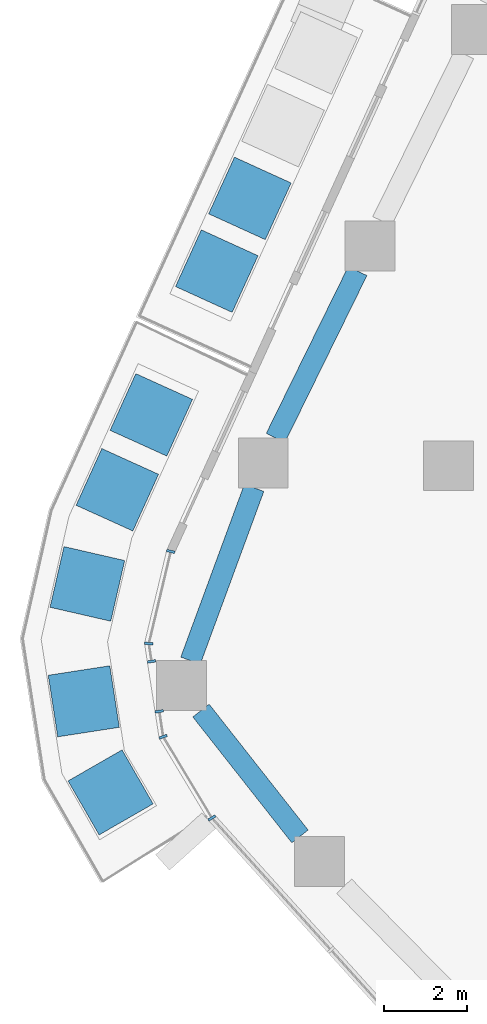
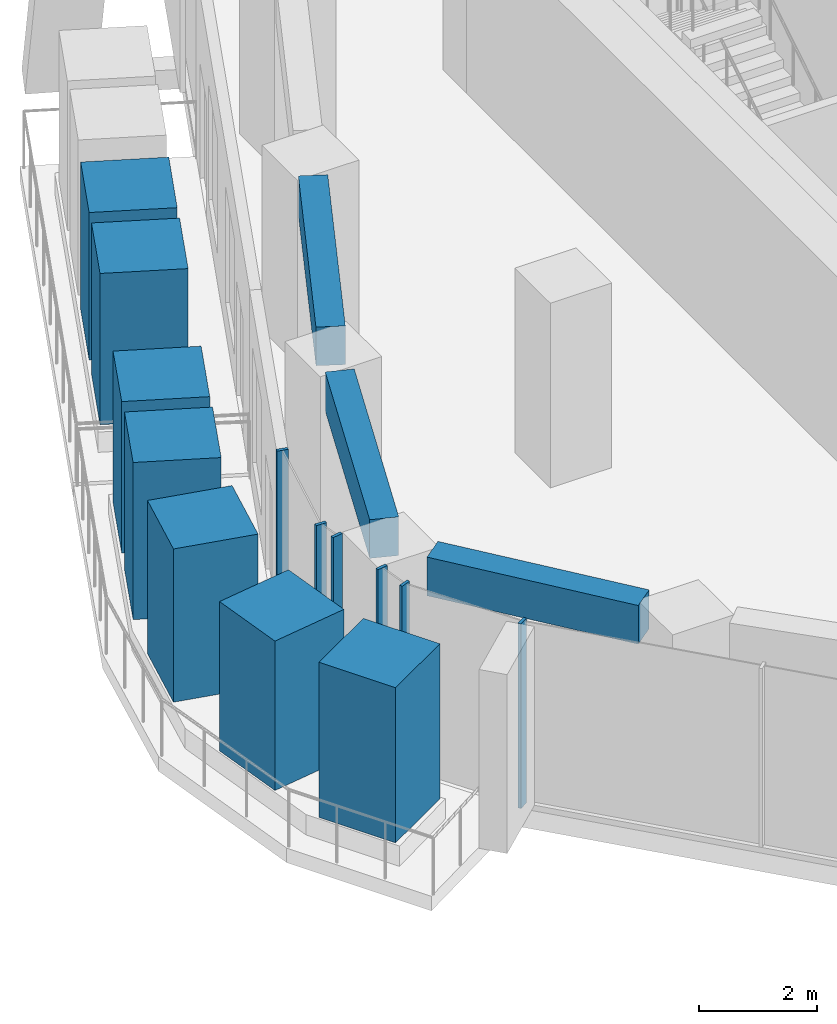
# One storey, part 3 of 19: 13 members, 3 beams, 2 elements without a shape of their own.
"""IFC4 building model written with IfcOpenShell, lengths in metres."""

from ifc_helpers import new_model, si_unit, direction, frame, origin, origin_2d, place, context, subcontext, project, spatial, rectangle, extrude, material, layer, layer_set, material_profile, profile_set, type_object, element, aggregate, save


model = new_model("IFC4")

# Units and contexts
model_context = context("Model", 3, precision=1e-05, world=origin(), true_north=direction((0.0, 1.0)))
body_context = subcontext(model_context, "Body", "Model", "MODEL_VIEW")
ifc_project = project(units=[si_unit("LENGTHUNIT", "METRE"), si_unit("AREAUNIT", "SQUARE_METRE"), si_unit("VOLUMEUNIT", "CUBIC_METRE"), si_unit("PLANEANGLEUNIT", "RADIAN"), si_unit("MASSUNIT", "GRAM", prefix="KILO")], contexts=[model_context])

# Site, building, storey
site_placement = place(None, origin())
site = spatial("IfcSite", under=ifc_project, at=site_placement, CompositionType="ELEMENT")
building_placement = place(site_placement, origin())
building = spatial("IfcBuilding", under=site, at=building_placement, Name="Dongbaek Canopy Tower", CompositionType="ELEMENT")
storey_placement = place(building_placement, frame((0.0, 0.0, 198.800048828125)))
storey = spatial("IfcBuildingStorey", under=building, at=storey_placement, Name="L41", CompositionType="ELEMENT", Elevation=198.800048828125)

# Curtain wall, members
ifc_material_1 = material(Name="Aluminium 6063-T6 pale anodised", Category="aluminium")
ifc_layer = layer(ifc_material_1, 0.199951171875)
ifc_layer_set = layer_set([ifc_layer], Name="CW-1 unitised tower curtain wall")
curtain_wall_type = type_object("IfcCurtainWallType", Name="CW-1 unitised tower curtain wall", PredefinedType="NOTDEFINED", material=ifc_layer_set)
curtain_wall_1_placement = place(storey_placement, origin())
curtain_wall_1 = element("IfcCurtainWall", 1, at=curtain_wall_1_placement, inside=storey, type_object=curtain_wall_type, Name="CW-1 curtain wall K3.1a", PredefinedType="NOTDEFINED")
ifc_material_2 = material(Name="Aluminium 6063-T6 pale anodised", Category="aluminium")
ifc_material_profile_1 = material_profile(ifc_material_2, rectangle(XDim=0.199951171875, YDim=0.06005859375, at=origin_2d()), Name="CW-1 mullion 60 x 200")
ifc_profile_set_1 = profile_set([ifc_material_profile_1], Name="Aluminium 6063-T6 pale anodised")
member_type_1 = type_object("IfcMemberType", Name="CW-1 mullion 60 x 200", PredefinedType="MULLION", material=ifc_profile_set_1)
member_1_placement = place(storey_placement, frame((-24.69091796875, -2.063720703125, 0.0), z_axis=(0.0, 0.0, 1.0), x_axis=(-0.972743995942, 0.231881690436, 0.0)))
member_1 = element("IfcMember", 2, at=member_1_placement, type_object=member_type_1, Name="CW-1 mullion K3.1a.1", PredefinedType="MULLION", context=body_context, shape_type="SweptSolid", body=[
    extrude(rectangle(XDim=0.199951171875, YDim=0.06005859375, at=origin_2d()), origin(), (0.0, 0.0, 1.0), 3.820068359375),
])
member_2_placement = place(storey_placement, frame((-25.219482421875, -4.28173828125, 0.0), z_axis=(0.0, 0.0, 1.0), x_axis=(-0.999186076209, 0.040338382589, 0.0)))
member_2 = element("IfcMember", 3, at=member_2_placement, type_object=member_type_1, Name="CW-1 mullion K3.1a.2", PredefinedType="MULLION", context=body_context, shape_type="SweptSolid", body=[
    extrude(rectangle(XDim=0.199951171875, YDim=0.06005859375, at=origin_2d()), origin(), (0.0, 0.0, 1.0), 3.820068359375),
])
member_3_placement = place(storey_placement, frame((-25.153076171875, -4.712158203125, 0.0), z_axis=(0.0, 0.0, 1.0), x_axis=(-0.988270565088, -0.15271309761, 0.0)))
member_3 = element("IfcMember", 4, at=member_3_placement, type_object=member_type_1, Name="CW-1 mullion K3.1a.3", PredefinedType="MULLION", context=body_context, shape_type="SweptSolid", body=[
    extrude(rectangle(XDim=0.199951171875, YDim=0.06005859375, at=origin_2d()), origin(), (0.0, 0.0, 1.0), 3.820068359375),
])
aggregate(curtain_wall_1, [member_1, member_2, member_3])

curtain_wall_2_placement = place(storey_placement, origin())
curtain_wall_2 = element("IfcCurtainWall", 5, at=curtain_wall_2_placement, inside=storey, type_object=curtain_wall_type, Name="CW-1 curtain wall K3.1b", PredefinedType="NOTDEFINED")
member_4_placement = place(storey_placement, frame((-24.96728515625, -5.913818359375, 0.0), z_axis=(0.0, 0.0, 1.0), x_axis=(-0.988270565088, -0.15271309761, 0.0)))
member_4 = element("IfcMember", 6, at=member_4_placement, type_object=member_type_1, Name="CW-1 mullion K3.1b.1", PredefinedType="MULLION", context=body_context, shape_type="SweptSolid", body=[
    extrude(rectangle(XDim=0.199951171875, YDim=0.06005859375, at=origin_2d()), origin(), (0.0, 0.0, 1.0), 3.820068359375),
])
member_5_placement = place(storey_placement, frame((-24.872802734375, -6.525146484375, 0.0), z_axis=(0.0, 0.0, 1.0), x_axis=(-0.940405571945, -0.340054937112, 0.0)))
member_5 = element("IfcMember", 7, at=member_5_placement, type_object=member_type_1, Name="CW-1 mullion K3.1b.2", PredefinedType="MULLION", context=body_context, shape_type="SweptSolid", body=[
    extrude(rectangle(XDim=0.199951171875, YDim=0.06005859375, at=origin_2d()), origin(), (0.0, 0.0, 1.0), 3.820068359375),
])
member_6_placement = place(storey_placement, frame((-23.69921875, -8.480224609375, 0.0), z_axis=(0.0, 0.0, 1.0), x_axis=(-0.857380674226, -0.514682794995, 0.0)))
member_6 = element("IfcMember", 8, at=member_6_placement, type_object=member_type_1, Name="CW-1 mullion K3.1b.3", PredefinedType="MULLION", context=body_context, shape_type="SweptSolid", body=[
    extrude(rectangle(XDim=0.199951171875, YDim=0.06005859375, at=origin_2d()), origin(), (0.0, 0.0, 1.0), 3.820068359375),
])
aggregate(curtain_wall_2, [member_4, member_5, member_6])

# Beams
ifc_material_3 = material(Name="Concrete C70", Category="concrete")
ifc_material_profile_2 = material_profile(ifc_material_3, rectangle(XDim=0.5, YDim=0.800048828125, at=origin_2d()), Name="RC EDGE BEAM 500x800 C70")
ifc_profile_set_2 = profile_set([ifc_material_profile_2], Name="Concrete C70")
beam_type = type_object("IfcBeamType", Name="RC EDGE BEAM 500x800 C70", PredefinedType="BEAM", material=ifc_profile_set_2)
beam_1_placement = place(storey_placement, frame((-21.578125, -8.925048828125, 3.419921875), z_axis=(-0.618344214718, 0.785907394115, 0.0), x_axis=(-0.785907394115, -0.618344214718, 0.0)))
element("IfcBeam", 9, at=beam_1_placement, inside=storey, type_object=beam_type, Name="EDGEBEAM:L41:07", PredefinedType="BEAM", context=body_context, shape_type="SweptSolid", body=[
    extrude(rectangle(XDim=0.5, YDim=0.800048828125, at=origin_2d()), origin(), (0.0, 0.0, 1.0), 3.856689453125),
])
beam_2_placement = place(storey_placement, frame((-24.214111328125, -4.694091796875, 3.419921875), z_axis=(0.34534810305, 0.938474660137, 0.0), x_axis=(-0.938474660137, 0.34534810305, 0.0)))
element("IfcBeam", 10, at=beam_2_placement, inside=storey, type_object=beam_type, Name="EDGEBEAM:L41:08", PredefinedType="BEAM", context=body_context, shape_type="SweptSolid", body=[
    extrude(rectangle(XDim=0.5, YDim=0.800048828125, at=origin_2d()), origin(), (0.0, 0.0, 1.0), 4.433837890625),
])
beam_3_placement = place(storey_placement, frame((-22.1669921875, 0.6669921875, 3.419921875), z_axis=(0.441142658474, 0.897436992147, 0.0), x_axis=(-0.897436992147, 0.441142658474, 0.0)))
element("IfcBeam", 11, at=beam_3_placement, inside=storey, type_object=beam_type, Name="EDGEBEAM:L41:09", PredefinedType="BEAM", context=body_context, shape_type="SweptSolid", body=[
    extrude(rectangle(XDim=0.5, YDim=0.800048828125, at=origin_2d()), origin(), (0.0, 0.0, 1.0), 4.4794921875),
])

# Members
ifc_material_4 = material(Name="Concrete C40/50 planter mass with planting", Category="concrete")
ifc_material_profile_3 = material_profile(ifc_material_4, rectangle(XDim=1.5, YDim=1.5, at=origin_2d()), Name="Terrace PLANTER shrub mass 1500 x 1500")
ifc_profile_set_3 = profile_set([ifc_material_profile_3], Name="Concrete C40/50 planter mass with planting")
member_type_2 = type_object("IfcMemberType", Name="Terrace PLANTER shrub mass 1500 x 1500", PredefinedType="USERDEFINED", material=ifc_profile_set_3)
member_7_placement = place(storey_placement, frame((-22.784423828125, 6.4345703125, 0.419921875), z_axis=(0.0, 0.0, 1.0), x_axis=(-0.909932941374, 0.414755400449, 0.0)))
element("IfcMember", 12, at=member_7_placement, inside=storey, type_object=member_type_2, Name="Planter shrubs L41 1.3", ObjectType="PLANTER", PredefinedType="USERDEFINED", context=body_context, shape_type="SweptSolid", body=[
    extrude(rectangle(XDim=1.5, YDim=1.5, at=origin_2d()), origin(), (0.0, 0.0, 1.0), 3.050048828125),
])
for number, where, z_axis, x_axis, name in (
    (13, (-23.582275390625, 4.68408203125, 0.419921875), (0.0, 0.0, 1.0), (-0.909932941374, 0.414755400449, 0.0), "Planter shrubs L41 1.4"),
    (14, (-25.157470703125, 1.2236328125, 0.419921875), (0.0, 0.0, 1.0), (-0.910760101813, 0.412935875101, 0.0), "Planter shrubs L41 2.1"),
):
    element("IfcMember", number, at=place(storey_placement, frame(where, z_axis=z_axis, x_axis=x_axis)), inside=storey, type_object=member_type_2, Name=name, ObjectType="PLANTER", PredefinedType="USERDEFINED", context=body_context, shape_type="SweptSolid", body=[
        extrude(rectangle(XDim=1.5, YDim=1.5, at=origin_2d()), origin(), (0.0, 0.0, 1.0), 3.130126953125),
    ])
member_8_placement = place(storey_placement, frame((-25.975341796875, -0.580078125, 0.419921875), z_axis=(0.0, 0.0, 1.0), x_axis=(-0.910760101813, 0.412935875101, 0.0)))
element("IfcMember", 15, at=member_8_placement, inside=storey, type_object=member_type_2, Name="Planter shrubs L41 2.2", ObjectType="PLANTER", PredefinedType="USERDEFINED", context=body_context, shape_type="SweptSolid", body=[
    extrude(rectangle(XDim=1.5, YDim=1.5, at=origin_2d()), origin(), (0.0, 0.0, 1.0), 3.25),
])
member_9_placement = place(storey_placement, frame((-26.697021484375, -2.845703125, 0.419921875), z_axis=(0.0, 0.0, 1.0), x_axis=(-0.97467118145, 0.223642768834, 0.0)))
element("IfcMember", 16, at=member_9_placement, inside=storey, type_object=member_type_2, Name="Planter shrubs L41 2.3", ObjectType="PLANTER", PredefinedType="USERDEFINED", context=body_context, shape_type="SweptSolid", body=[
    extrude(rectangle(XDim=1.5, YDim=1.5, at=origin_2d()), origin(), (0.0, 0.0, 1.0), 3.169921875),
])
member_10_placement = place(storey_placement, frame((-26.783935546875, -5.671875, 0.419921875), z_axis=(0.0, 0.0, 1.0), x_axis=(-0.988270565088, -0.15271309761, 0.0)))
element("IfcMember", 17, at=member_10_placement, inside=storey, type_object=member_type_2, Name="Planter shrubs L41 2.4", ObjectType="PLANTER", PredefinedType="USERDEFINED", context=body_context, shape_type="SweptSolid", body=[
    extrude(rectangle(XDim=1.5, YDim=1.5, at=origin_2d()), origin(), (0.0, 0.0, 1.0), 3.090087890625),
])
member_11_placement = place(storey_placement, frame((-26.137939453125, -7.864990234375, 0.419921875), z_axis=(0.0, 0.0, 1.0), x_axis=(-0.866880038744, -0.498516798541, 0.0)))
element("IfcMember", 18, at=member_11_placement, inside=storey, type_object=member_type_2, Name="Planter shrubs L41 2.5", ObjectType="PLANTER", PredefinedType="USERDEFINED", context=body_context, shape_type="SweptSolid", body=[
    extrude(rectangle(XDim=1.5, YDim=1.5, at=origin_2d()), origin(), (0.0, 0.0, 1.0), 3.2099609375),
])

save(model, "model.ifc")
